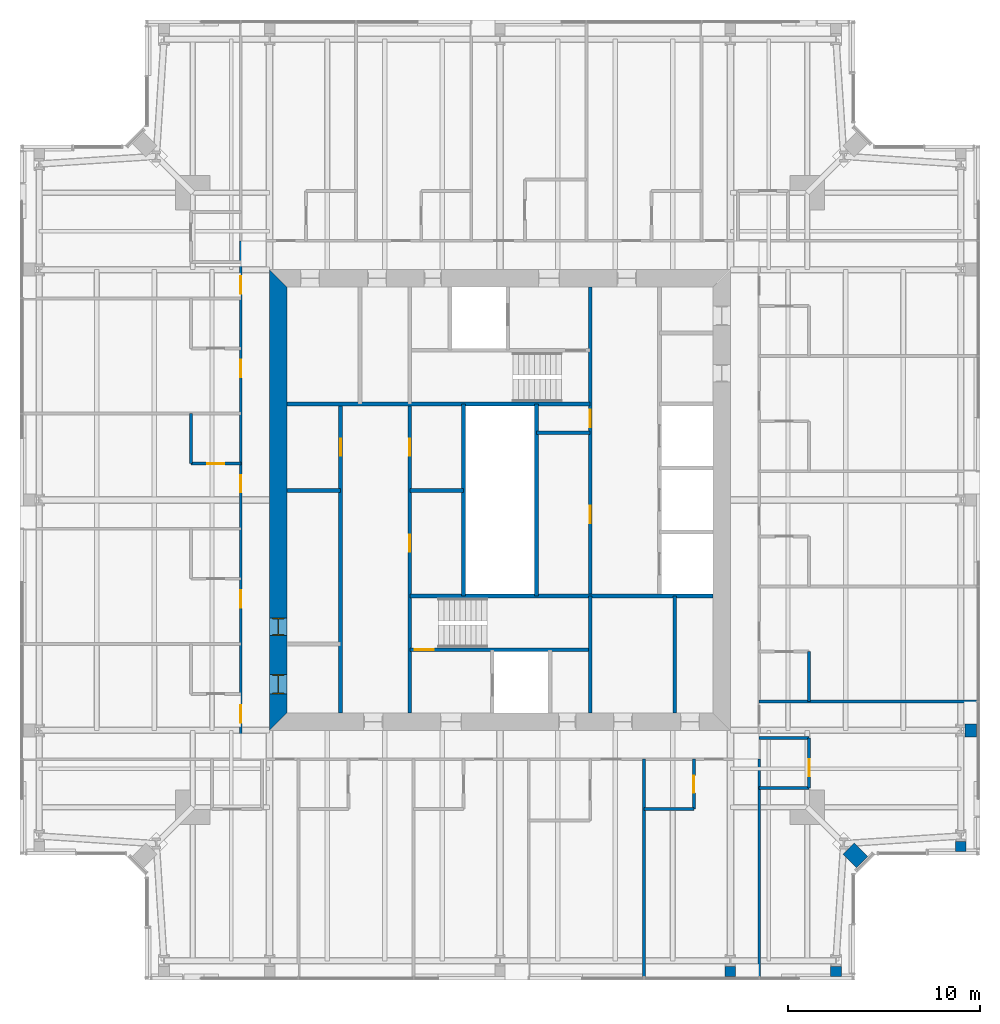
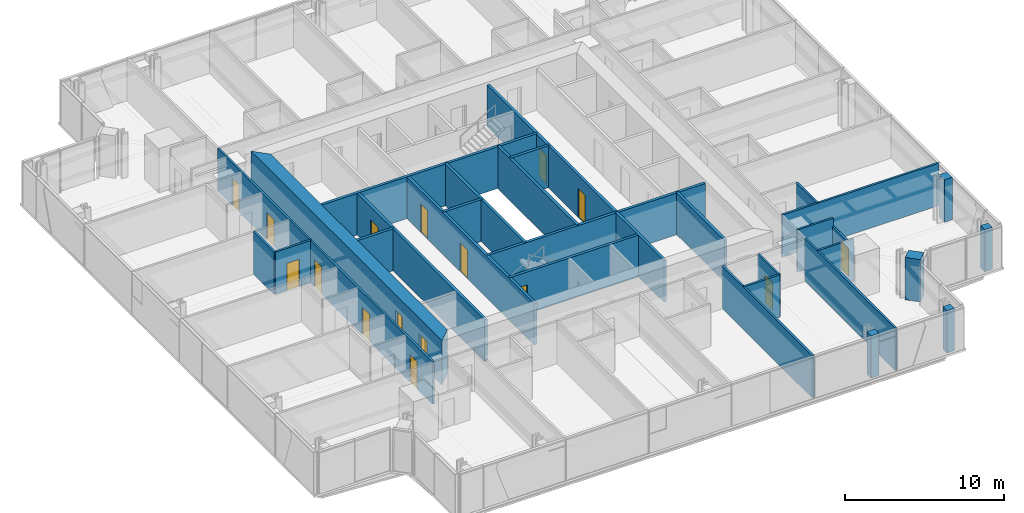
# One storey, part 12 of 20: 31 walls, 16 doors, 16 openings.
"""IFC4 building model written with IfcOpenShell, lengths in metres."""

from ifc_helpers import new_model, si_unit, direction, frame, frame_2d, origin, place, context, subcontext, project, spatial, polyline, rectangle, outline, extrude, material, layer, layer_set, type_object, element, fill, save


model = new_model("IFC4")

# Units and contexts
model_context = context("Model", 3, precision=1e-05, world=origin(), true_north=direction((0.0, 1.0)))
body_context = subcontext(model_context, "Body", "Model", "MODEL_VIEW")
ifc_project = project(units=[si_unit("LENGTHUNIT", "METRE"), si_unit("AREAUNIT", "SQUARE_METRE"), si_unit("VOLUMEUNIT", "CUBIC_METRE"), si_unit("PLANEANGLEUNIT", "RADIAN"), si_unit("MASSUNIT", "GRAM", prefix="KILO")], contexts=[model_context])

# Site, building, storey
site_placement = place(None, origin())
site = spatial("IfcSite", under=ifc_project, at=site_placement, CompositionType="ELEMENT")
building_placement = place(site_placement, origin())
building = spatial("IfcBuilding", under=site, at=building_placement, Name="Fenwick Lantern Interchange", CompositionType="ELEMENT")
storey_placement = place(building_placement, frame((0.0, 0.0, 252.60009765625)))
storey = spatial("IfcBuildingStorey", under=building, at=storey_placement, Name="L59", CompositionType="ELEMENT", Elevation=252.60009765625)

# Walls
ifc_material_1 = material(Name="Fire-rated gypsum board encasement on steel studs, 2 hour", Category="steel")
ifc_layer_1 = layer(ifc_material_1, 0.554931640625)
ifc_layer_set_1 = layer_set([ifc_layer_1], Name="COLUMN PIER 555")
wall_type_1 = type_object("IfcWallType", Name="COLUMN PIER 555", PredefinedType="PARTITIONING", material=ifc_layer_set_1)
for number, where, z_axis, x_axis, name in (
    (1, (37.0, 0.18994140625, 0.0), (0.0, 0.0, 1.0), (0.0, 1.0, 0.0), "L59/W/PIER/CS4"),
    (2, (42.5, 0.18994140625, 0.0), (0.0, 0.0, 1.0), (0.0, 1.0, 0.0), "L59/W/PIER/CS5"),
    (3, (49.0, 6.68994140625, 0.0), (0.0, 0.0, 1.0), (0.0, 1.0, 0.0), "L59/W/PIER/CE1"),
):
    element("IfcWall", number, at=place(storey_placement, frame(where, z_axis=z_axis, x_axis=x_axis)), inside=storey, type_object=wall_type_1, Name=name, PredefinedType="PARTITIONING", context=body_context, shape_type="SweptSolid", body=[
        extrude(rectangle(XDim=0.525634765625, YDim=0.554931640625, at=frame_2d((0.2626953125, 0.0))), origin(), (0.0, 0.0, 1.0), 3.25),
    ])
ifc_layer_2 = layer(ifc_material_1, 0.6689453125)
ifc_layer_set_2 = layer_set([ifc_layer_2], Name="COLUMN PIER 669")
wall_type_2 = type_object("IfcWallType", Name="COLUMN PIER 669", PredefinedType="PARTITIONING", material=ifc_layer_set_2)
wall_1_placement = place(storey_placement, frame((49.81005859375, 13.0, 0.0), z_axis=(0.0, 0.0, 1.0), x_axis=(-1.0, 0.0, 0.0)))
element("IfcWall", 4, at=wall_1_placement, inside=storey, type_object=wall_type_2, Name="L59/W/PIER/CE2", PredefinedType="PARTITIONING", context=body_context, shape_type="SweptSolid", body=[
    extrude(rectangle(XDim=0.582763671875, YDim=0.6689453125, at=frame_2d((0.29150390625, 0.0))), origin(), (0.0, 0.0, 1.0), 3.25),
])
ifc_layer_3 = layer(ifc_material_1, 0.823974609375)
ifc_layer_set_3 = layer_set([ifc_layer_3], Name="COLUMN PIER 824")
wall_type_3 = type_object("IfcWallType", Name="COLUMN PIER 824", PredefinedType="PARTITIONING", material=ifc_layer_set_3)
wall_2_placement = place(storey_placement, frame((43.86572265625, 6.13427734375, 0.0), z_axis=(0.0, 0.0, 1.0), x_axis=(-0.707106781187, 0.707106781187, 0.0)))
element("IfcWall", 5, at=wall_2_placement, inside=storey, type_object=wall_type_3, Name="L59/W/PIER/CSR", PredefinedType="PARTITIONING", context=body_context, shape_type="SweptSolid", body=[
    extrude(rectangle(XDim=1.003662109375, YDim=0.823974609375, at=frame_2d((0.501953125, 0.0))), origin(), (0.0, 0.0, 1.0), 3.25),
])

# Wall, opening, door
ifc_material_2 = material(Name="Concrete masonry ASTM C90 Grade N", Category="masonry")
ifc_layer_4 = layer(ifc_material_2, 0.199951171875)
ifc_layer_set_4 = layer_set([ifc_layer_4], Name="Concrete masonry ASTM C90 Grade N")
wall_type_4 = type_object("IfcWallType", Name="CORE PARTITION 200", PredefinedType="PARTITIONING", material=ifc_layer_set_4)
wall_3_placement = place(storey_placement, frame((16.699951171875, 13.89990234375, 0.0), z_axis=(0.0, 0.0, 1.0), x_axis=(0.0, 1.0, 0.0)))
wall_3 = element("IfcWall", 6, at=wall_3_placement, inside=storey, type_object=wall_type_4, Name="L59/W/CORES/a", PredefinedType="PARTITIONING", context=body_context, shape_type="SweptSolid", body=[
    extrude(rectangle(XDim=16.10009765625, YDim=0.199951171875, at=frame_2d((8.050048828125, 0.0))), origin(), (0.0, 0.0, 1.0), 3.199951171875),
])
opening_1_placement = place(wall_3_placement, frame((13.39990234375, 0.0, 0.0)))
opening_1 = element("IfcOpeningElement", 7, at=opening_1_placement, cuts=wall_3, Name="Opening L59-D009", PredefinedType="OPENING", context=body_context, shape_type="SweptSolid", body=[
    extrude(rectangle(XDim=0.89990234375, YDim=2.199951171875, at=frame_2d((0.449951171875, 1.10009765625))), frame((0.0, 0.10986328125, 0.0), z_axis=(0.0, -1.0, 0.0), x_axis=(1.0, 0.0, 0.0)), (0.0, 0.0, 1.0), 0.219970703125),
])
ifc_material_3 = material(Name="Steel door and frame", Category="steel")
door_type_1 = type_object("IfcDoorType", Name="SERVICE DOOR 900 X 2200", OperationType="SINGLE_SWING_LEFT", PredefinedType="DOOR", material=ifc_material_3)
door_1_placement = place(opening_1_placement, origin())
door_1 = element("IfcDoor", 8, at=door_1_placement, inside=storey, type_object=door_type_1, Name="Service door", OperationType="SINGLE_SWING_LEFT", OverallHeight=2.199951171875, OverallWidth=0.89990234375, PredefinedType="DOOR", context=body_context, shape_type="SweptSolid", body=[
    extrude(rectangle(XDim=0.89990234375, YDim=2.199951171875, at=frame_2d((0.449951171875, 1.10009765625))), frame((0.0, 0.02490234375, 0.0), z_axis=(0.0, -1.0, 0.0), x_axis=(1.0, 0.0, 0.0)), (0.0, 0.0, 1.0), 0.050048828125),
])
fill(opening_1, door_1)

# Walls
wall_4_placement = place(storey_placement, frame((23.10009765625, 20.0, 0.0), z_axis=(0.0, 0.0, 1.0), x_axis=(0.0, 1.0, 0.0)))
element("IfcWall", 9, at=wall_4_placement, inside=storey, type_object=wall_type_4, Name="L59/W/CORES/e3", PredefinedType="PARTITIONING", context=body_context, shape_type="SweptSolid", body=[
    extrude(rectangle(XDim=10.0, YDim=0.199951171875, at=frame_2d((5.0, 0.0))), origin(), (0.0, 0.0, 1.0), 3.199951171875),
])
wall_5_placement = place(storey_placement, frame((34.10009765625, 13.89990234375, 0.0), z_axis=(0.0, 0.0, 1.0), x_axis=(0.0, 1.0, 0.0)))
element("IfcWall", 10, at=wall_5_placement, inside=storey, type_object=wall_type_4, Name="L59/W/CORES/i2", PredefinedType="PARTITIONING", context=body_context, shape_type="SweptSolid", body=[
    extrude(rectangle(XDim=6.10009765625, YDim=0.199951171875, at=frame_2d((3.050048828125, 0.0))), origin(), (0.0, 0.0, 1.0), 3.199951171875),
])
for number, where, z_axis, x_axis, name in (
    (11, (13.89990234375, 25.5, 0.0), (0.0, 0.0, 1.0), (1.0, 0.0, 0.0), "L59/W/CORES/p2"),
    (12, (20.300048828125, 25.5, 0.0), (0.0, 0.0, 1.0), (1.0, 0.0, 0.0), "L59/W/CORES/q1"),
):
    element("IfcWall", number, at=place(storey_placement, frame(where, z_axis=z_axis, x_axis=x_axis)), inside=storey, type_object=wall_type_4, Name=name, PredefinedType="PARTITIONING", context=body_context, shape_type="SweptSolid", body=[
        extrude(rectangle(XDim=2.800048828125, YDim=0.199951171875, at=frame_2d((1.39990234375, 0.0))), origin(), (0.0, 0.0, 1.0), 3.199951171875),
    ])
wall_6_placement = place(storey_placement, frame((26.89990234375, 30.0, 0.0), z_axis=(0.0, 0.0, 1.0), x_axis=(0.0, -1.0, 0.0)))
element("IfcWall", 13, at=wall_6_placement, inside=storey, type_object=wall_type_4, Name="L59/W/COREN/e3", PredefinedType="PARTITIONING", context=body_context, shape_type="SweptSolid", body=[
    extrude(rectangle(XDim=10.0, YDim=0.199951171875, at=frame_2d((5.0, 0.0))), origin(), (0.0, 0.0, 1.0), 3.199951171875),
])
wall_7_placement = place(storey_placement, frame((29.699951171875, 28.5, 0.0), z_axis=(0.0, 0.0, 1.0), x_axis=(-1.0, 0.0, 0.0)))
element("IfcWall", 14, at=wall_7_placement, inside=storey, type_object=wall_type_4, Name="L59/W/COREN/q1", PredefinedType="PARTITIONING", context=body_context, shape_type="SweptSolid", body=[
    extrude(rectangle(XDim=2.800048828125, YDim=0.199951171875, at=frame_2d((1.39990234375, 0.0))), origin(), (0.0, 0.0, 1.0), 3.199951171875),
])

# Wall, openings, doors
ifc_material_4 = material(Name="Concrete f'c 70 MPa", Category="concrete")
ifc_layer_5 = layer(ifc_material_4, 0.89990234375)
ifc_layer_set_5 = layer_set([ifc_layer_5], Name="CORE WALL 900")
wall_type_5 = type_object("IfcWallType", Name="CORE WALL 900", PredefinedType="SHEAR", material=ifc_layer_set_5)
wall_8_placement = place(storey_placement, frame((13.449951171875, 36.10009765625, 0.0), z_axis=(0.0, 0.0, 1.0), x_axis=(0.0, -1.0, 0.0)))
wall_8 = element("IfcWall", 15, at=wall_8_placement, inside=storey, type_object=wall_type_5, Name="L59/CORE/W", PredefinedType="SHEAR", context=body_context, shape_type="SweptSolid", body=[
    extrude(outline(polyline([(-0.89990234375, -0.449951171875), (23.10009765625, -0.449951171875), (22.199951171875, 0.449951171875), (0.0, 0.449951171875), (-0.89990234375, -0.449951171875)])), origin(), (0.0, 0.0, 1.0), 3.39990234375),
])
opening_2_placement = place(wall_8_placement, frame((20.199951171875, 0.0, 0.0)))
opening_2 = element("IfcOpeningElement", 16, at=opening_2_placement, cuts=wall_8, Name="Opening L59-D007", PredefinedType="OPENING", context=body_context, shape_type="SweptSolid", body=[
    extrude(rectangle(XDim=1.0, YDim=2.199951171875, at=frame_2d((0.5, 1.10009765625))), frame((0.0, 0.4599609375, 0.0), z_axis=(0.0, -1.0, 0.0), x_axis=(1.0, 0.0, 0.0)), (0.0, 0.0, 1.0), 0.919921875),
])
opening_3_placement = place(wall_8_placement, frame((17.25, 0.0, 0.0)))
opening_3 = element("IfcOpeningElement", 17, at=opening_3_placement, cuts=wall_8, Name="Opening L59-D008", PredefinedType="OPENING", context=body_context, shape_type="SweptSolid", body=[
    extrude(rectangle(XDim=0.89990234375, YDim=2.199951171875, at=frame_2d((0.449951171875, 1.10009765625))), frame((0.0, 0.4599609375, 0.0), z_axis=(0.0, -1.0, 0.0), x_axis=(1.0, 0.0, 0.0)), (0.0, 0.0, 1.0), 0.919921875),
])
door_2_placement = place(opening_3_placement, origin())
door_2 = element("IfcDoor", 18, at=door_2_placement, inside=storey, type_object=door_type_1, Name="Service door", OperationType="SINGLE_SWING_RIGHT", OverallHeight=2.199951171875, OverallWidth=0.89990234375, PredefinedType="DOOR", context=body_context, shape_type="SweptSolid", body=[
    extrude(rectangle(XDim=0.89990234375, YDim=2.199951171875, at=frame_2d((0.449951171875, 1.10009765625))), frame((0.0, 0.02490234375, 0.0), z_axis=(0.0, -1.0, 0.0), x_axis=(1.0, 0.0, 0.0)), (0.0, 0.0, 1.0), 0.050048828125),
    extrude(outline(polyline([(0.0, 0.0), (0.0400390625, 0.0), (0.0400390625, 2.159912109375), (0.85986328125, 2.159912109375), (0.85986328125, 0.0), (0.89990234375, 0.0), (0.89990234375, 2.199951171875), (0.0, 2.199951171875), (0.0, 0.0)])), frame((0.0, 0.300048828125, 0.0), z_axis=(0.0, -1.0, 0.0), x_axis=(1.0, 0.0, 0.0)), (0.0, 0.0, 1.0), 0.60009765625),
])
fill(opening_3, door_2)
ifc_material_5 = material(Name="Hardwood door and steel frame", Category="steel")
door_type_2 = type_object("IfcDoorType", Name="WC DOOR 1000 X 2200", OperationType="SINGLE_SWING_LEFT", PredefinedType="DOOR", material=ifc_material_5)
door_3_placement = place(opening_2_placement, origin())
door_3 = element("IfcDoor", 19, at=door_3_placement, inside=storey, type_object=door_type_2, Name="Wc door", OperationType="SINGLE_SWING_RIGHT", OverallHeight=2.199951171875, OverallWidth=1.0, PredefinedType="DOOR", context=body_context, shape_type="SweptSolid", body=[
    extrude(rectangle(XDim=1.0, YDim=2.199951171875, at=frame_2d((0.5, 1.10009765625))), frame((0.0, 0.02490234375, 0.0), z_axis=(0.0, -1.0, 0.0), x_axis=(1.0, 0.0, 0.0)), (0.0, 0.0, 1.0), 0.050048828125),
    extrude(outline(polyline([(0.0, 0.0), (0.0400390625, 0.0), (0.0400390625, 2.159912109375), (0.9599609375, 2.159912109375), (0.9599609375, 0.0), (1.0, 0.0), (1.0, 2.199951171875), (0.0, 2.199951171875), (0.0, 0.0)])), frame((0.0, 0.300048828125, 0.0), z_axis=(0.0, -1.0, 0.0), x_axis=(1.0, 0.0, 0.0)), (0.0, 0.0, 1.0), 0.60009765625),
])
fill(opening_2, door_3)

ifc_material_6 = material(Name="Gypsum board on steel studs, 1 hour", Category="steel")
ifc_layer_6 = layer(ifc_material_6, 0.14990234375)
ifc_layer_set_6 = layer_set([ifc_layer_6], Name="CORRIDOR WALL 150")
wall_type_6 = type_object("IfcWallType", Name="CORRIDOR WALL 150", PredefinedType="PARTITIONING", material=ifc_layer_set_6)
wall_9_placement = place(storey_placement, frame((11.5, 38.5, 0.0), z_axis=(0.0, 0.0, 1.0), x_axis=(0.0, -1.0, 0.0)))
wall_9 = element("IfcWall", 20, at=wall_9_placement, inside=storey, type_object=wall_type_6, Name="L59/W/HOTEL/W/CW", PredefinedType="PARTITIONING", context=body_context, shape_type="SweptSolid", body=[
    extrude(rectangle(XDim=27.0, YDim=0.14990234375, at=frame_2d((13.5, 0.0))), origin(), (0.0, 0.0, 1.0), 3.25),
])
opening_4_placement = place(wall_9_placement, frame((1.85009765625, 0.0, 0.0)))
opening_4 = element("IfcOpeningElement", 21, at=opening_4_placement, cuts=wall_9, Name="Opening L59-D052", PredefinedType="OPENING", context=body_context, shape_type="SweptSolid", body=[
    extrude(rectangle(XDim=0.89990234375, YDim=2.10009765625, at=frame_2d((0.449951171875, 1.050048828125))), frame((0.0, 0.0849609375, 0.0), z_axis=(0.0, -1.0, 0.0), x_axis=(1.0, 0.0, 0.0)), (0.0, 0.0, 1.0), 0.169921875),
])
opening_5_placement = place(wall_9_placement, frame((6.199951171875, 0.0, 0.0)))
opening_5 = element("IfcOpeningElement", 22, at=opening_5_placement, cuts=wall_9, Name="Opening L59-D055", PredefinedType="OPENING", context=body_context, shape_type="SweptSolid", body=[
    extrude(rectangle(XDim=0.89990234375, YDim=2.10009765625, at=frame_2d((0.449951171875, 1.050048828125))), frame((0.0, 0.0849609375, 0.0), z_axis=(0.0, -1.0, 0.0), x_axis=(1.0, 0.0, 0.0)), (0.0, 0.0, 1.0), 0.169921875),
])
opening_6_placement = place(wall_9_placement, frame((12.199951171875, 0.0, 0.0)))
opening_6 = element("IfcOpeningElement", 23, at=opening_6_placement, cuts=wall_9, Name="Opening L59-D057", PredefinedType="OPENING", context=body_context, shape_type="SweptSolid", body=[
    extrude(rectangle(XDim=0.89990234375, YDim=2.10009765625, at=frame_2d((0.449951171875, 1.050048828125))), frame((0.0, 0.0849609375, 0.0), z_axis=(0.0, -1.0, 0.0), x_axis=(1.0, 0.0, 0.0)), (0.0, 0.0, 1.0), 0.169921875),
])
opening_7_placement = place(wall_9_placement, frame((18.199951171875, 0.0, 0.0)))
opening_7 = element("IfcOpeningElement", 24, at=opening_7_placement, cuts=wall_9, Name="Opening L59-D059", PredefinedType="OPENING", context=body_context, shape_type="SweptSolid", body=[
    extrude(rectangle(XDim=0.89990234375, YDim=2.10009765625, at=frame_2d((0.449951171875, 1.050048828125))), frame((0.0, 0.0849609375, 0.0), z_axis=(0.0, -1.0, 0.0), x_axis=(1.0, 0.0, 0.0)), (0.0, 0.0, 1.0), 0.169921875),
])
opening_8_placement = place(wall_9_placement, frame((24.199951171875, 0.0, 0.0)))
opening_8 = element("IfcOpeningElement", 25, at=opening_8_placement, cuts=wall_9, Name="Opening L59-D061", PredefinedType="OPENING", context=body_context, shape_type="SweptSolid", body=[
    extrude(rectangle(XDim=0.89990234375, YDim=2.10009765625, at=frame_2d((0.449951171875, 1.050048828125))), frame((0.0, 0.0849609375, 0.0), z_axis=(0.0, -1.0, 0.0), x_axis=(1.0, 0.0, 0.0)), (0.0, 0.0, 1.0), 0.169921875),
])
door_type_3 = type_object("IfcDoorType", Name="GUEST ROOM DOOR 900 X 2100", OperationType="SINGLE_SWING_LEFT", PredefinedType="DOOR", material=ifc_material_3)
door_4_placement = place(opening_4_placement, frame((0.89990234375, 0.0, 0.0), z_axis=(0.0, 0.0, 1.0), x_axis=(-1.0, 0.0, 0.0)))
door_4 = element("IfcDoor", 26, at=door_4_placement, inside=storey, type_object=door_type_3, Name="Guest room door", OperationType="SINGLE_SWING_LEFT", OverallHeight=2.10009765625, OverallWidth=0.89990234375, PredefinedType="DOOR", context=body_context, shape_type="SweptSolid", body=[
    extrude(rectangle(XDim=0.89990234375, YDim=2.10009765625, at=frame_2d((0.449951171875, 1.050048828125))), frame((0.0, 0.02490234375, 0.0), z_axis=(0.0, -1.0, 0.0), x_axis=(1.0, 0.0, 0.0)), (0.0, 0.0, 1.0), 0.050048828125),
])
fill(opening_4, door_4)
door_5_placement = place(opening_5_placement, frame((0.89990234375, 0.0, 0.0), z_axis=(0.0, 0.0, 1.0), x_axis=(-1.0, 0.0, 0.0)))
door_5 = element("IfcDoor", 27, at=door_5_placement, inside=storey, type_object=door_type_3, Name="Guest room door", OperationType="SINGLE_SWING_RIGHT", OverallHeight=2.10009765625, OverallWidth=0.89990234375, PredefinedType="DOOR", context=body_context, shape_type="SweptSolid", body=[
    extrude(rectangle(XDim=0.89990234375, YDim=2.10009765625, at=frame_2d((0.449951171875, 1.050048828125))), frame((0.0, 0.02490234375, 0.0), z_axis=(0.0, -1.0, 0.0), x_axis=(1.0, 0.0, 0.0)), (0.0, 0.0, 1.0), 0.050048828125),
])
fill(opening_5, door_5)
door_6_placement = place(opening_6_placement, frame((0.89990234375, 0.0, 0.0), z_axis=(0.0, 0.0, 1.0), x_axis=(-1.0, 0.0, 0.0)))
door_6 = element("IfcDoor", 28, at=door_6_placement, inside=storey, type_object=door_type_3, Name="Guest room door", OperationType="SINGLE_SWING_RIGHT", OverallHeight=2.10009765625, OverallWidth=0.89990234375, PredefinedType="DOOR", context=body_context, shape_type="SweptSolid", body=[
    extrude(rectangle(XDim=0.89990234375, YDim=2.10009765625, at=frame_2d((0.449951171875, 1.050048828125))), frame((0.0, 0.02490234375, 0.0), z_axis=(0.0, -1.0, 0.0), x_axis=(1.0, 0.0, 0.0)), (0.0, 0.0, 1.0), 0.050048828125),
])
fill(opening_6, door_6)
door_7_placement = place(opening_7_placement, frame((0.89990234375, 0.0, 0.0), z_axis=(0.0, 0.0, 1.0), x_axis=(-1.0, 0.0, 0.0)))
door_7 = element("IfcDoor", 29, at=door_7_placement, inside=storey, type_object=door_type_3, Name="Guest room door", OperationType="SINGLE_SWING_RIGHT", OverallHeight=2.10009765625, OverallWidth=0.89990234375, PredefinedType="DOOR", context=body_context, shape_type="SweptSolid", body=[
    extrude(rectangle(XDim=0.89990234375, YDim=2.10009765625, at=frame_2d((0.449951171875, 1.050048828125))), frame((0.0, 0.02490234375, 0.0), z_axis=(0.0, -1.0, 0.0), x_axis=(1.0, 0.0, 0.0)), (0.0, 0.0, 1.0), 0.050048828125),
])
fill(opening_7, door_7)
door_8_placement = place(opening_8_placement, frame((0.89990234375, 0.0, 0.0), z_axis=(0.0, 0.0, 1.0), x_axis=(-1.0, 0.0, 0.0)))
door_8 = element("IfcDoor", 30, at=door_8_placement, inside=storey, type_object=door_type_3, Name="Guest room door", OperationType="SINGLE_SWING_RIGHT", OverallHeight=2.10009765625, OverallWidth=0.89990234375, PredefinedType="DOOR", context=body_context, shape_type="SweptSolid", body=[
    extrude(rectangle(XDim=0.89990234375, YDim=2.10009765625, at=frame_2d((0.449951171875, 1.050048828125))), frame((0.0, 0.02490234375, 0.0), z_axis=(0.0, -1.0, 0.0), x_axis=(1.0, 0.0, 0.0)), (0.0, 0.0, 1.0), 0.050048828125),
])
fill(opening_8, door_8)

# Wall
ifc_material_7 = material(Name="Gypsum board on steel studs, moisture resistant", Category="steel")
ifc_layer_7 = layer(ifc_material_7, 0.14990234375)
ifc_layer_set_7 = layer_set([ifc_layer_7], Name="EN-SUITE WALL 150")
wall_type_7 = type_object("IfcWallType", Name="EN-SUITE WALL 150", PredefinedType="PARTITIONING", material=ifc_layer_set_7)
wall_10_placement = place(storey_placement, frame((32.5, 8.89990234375, 0.0), z_axis=(0.0, 0.0, 1.0), x_axis=(1.0, 0.0, 0.0)))
element("IfcWall", 31, at=wall_10_placement, inside=storey, type_object=wall_type_7, Name="L59/W/HOTEL/S/U5BW", PredefinedType="PARTITIONING", context=body_context, shape_type="SweptSolid", body=[
    extrude(rectangle(XDim=2.60009765625, YDim=0.14990234375, at=frame_2d((1.300048828125, 0.0))), origin(), (0.0, 0.0, 1.0), 3.25),
])

# Wall, opening, door
wall_11_placement = place(storey_placement, frame((35.10009765625, 8.89990234375, 0.0), z_axis=(0.0, 0.0, 1.0), x_axis=(0.0, 1.0, 0.0)))
wall_11 = element("IfcWall", 32, at=wall_11_placement, inside=storey, type_object=wall_type_7, Name="L59/W/HOTEL/S/U5BX", PredefinedType="PARTITIONING", context=body_context, shape_type="SweptSolid", body=[
    extrude(rectangle(XDim=2.60009765625, YDim=0.14990234375, at=frame_2d((1.300048828125, 0.0))), origin(), (0.0, 0.0, 1.0), 3.25),
])
opening_9_placement = place(wall_11_placement, frame((0.85009765625, 0.0, 0.0)))
opening_9 = element("IfcOpeningElement", 33, at=opening_9_placement, cuts=wall_11, Name="Opening L59-D030", PredefinedType="OPENING", context=body_context, shape_type="SweptSolid", body=[
    extrude(rectangle(XDim=0.89990234375, YDim=2.10009765625, at=frame_2d((0.449951171875, 1.050048828125))), frame((0.0, 0.0849609375, 0.0), z_axis=(0.0, -1.0, 0.0), x_axis=(1.0, 0.0, 0.0)), (0.0, 0.0, 1.0), 0.169921875),
])
door_type_4 = type_object("IfcDoorType", Name="EN-SUITE DOOR 900 X 2100", OperationType="SINGLE_SWING_LEFT", PredefinedType="DOOR", material=ifc_material_5)
door_9_placement = place(opening_9_placement, origin())
door_9 = element("IfcDoor", 34, at=door_9_placement, inside=storey, type_object=door_type_4, Name="En-suite door", OperationType="SINGLE_SWING_LEFT", OverallHeight=2.10009765625, OverallWidth=0.89990234375, PredefinedType="DOOR", context=body_context, shape_type="SweptSolid", body=[
    extrude(rectangle(XDim=0.89990234375, YDim=2.10009765625, at=frame_2d((0.449951171875, 1.050048828125))), frame((0.0, 0.02490234375, 0.0), z_axis=(0.0, -1.0, 0.0), x_axis=(1.0, 0.0, 0.0)), (0.0, 0.0, 1.0), 0.050048828125),
])
fill(opening_9, door_9)

wall_12_placement = place(storey_placement, frame((41.10009765625, 10.0, 0.0), z_axis=(0.0, 0.0, 1.0), x_axis=(0.0, 1.0, 0.0)))
wall_12 = element("IfcWall", 35, at=wall_12_placement, inside=storey, type_object=wall_type_7, Name="L59/W/HOTEL/E/U1BW", PredefinedType="PARTITIONING", context=body_context, shape_type="SweptSolid", body=[
    extrude(rectangle(XDim=2.60009765625, YDim=0.14990234375, at=frame_2d((1.300048828125, 0.0))), origin(), (0.0, 0.0, 1.0), 2.6376953125),
])
opening_10_placement = place(wall_12_placement, frame((0.60009765625, 0.0, 0.0)))
opening_10 = element("IfcOpeningElement", 36, at=opening_10_placement, cuts=wall_12, Name="Opening L59-D033", PredefinedType="OPENING", context=body_context, shape_type="SweptSolid", body=[
    extrude(rectangle(XDim=0.89990234375, YDim=2.10009765625, at=frame_2d((0.449951171875, 1.050048828125))), frame((0.0, 0.0849609375, 0.0), z_axis=(0.0, -1.0, 0.0), x_axis=(1.0, 0.0, 0.0)), (0.0, 0.0, 1.0), 0.169921875),
])
door_10_placement = place(opening_10_placement, origin())
door_10 = element("IfcDoor", 37, at=door_10_placement, inside=storey, type_object=door_type_4, Name="En-suite door", OperationType="SINGLE_SWING_LEFT", OverallHeight=2.10009765625, OverallWidth=0.89990234375, PredefinedType="DOOR", context=body_context, shape_type="SweptSolid", body=[
    extrude(rectangle(XDim=0.89990234375, YDim=2.10009765625, at=frame_2d((0.449951171875, 1.050048828125))), frame((0.0, 0.02490234375, 0.0), z_axis=(0.0, -1.0, 0.0), x_axis=(1.0, 0.0, 0.0)), (0.0, 0.0, 1.0), 0.050048828125),
])
fill(opening_10, door_10)

# Walls
for number, where, z_axis, x_axis, name in (
    (38, (41.10009765625, 10.0, 0.0), (0.0, 0.0, 1.0), (-1.0, 0.0, 0.0), "L59/W/HOTEL/E/U1BX"),
    (39, (41.10009765625, 12.60009765625, 0.0), (0.0, 0.0, 1.0), (-1.0, 0.0, 0.0), "L59/W/HOTEL/E/U1BE"),
    (40, (41.10009765625, 14.5, 0.0), (0.0, 0.0, 1.0), (0.0, 1.0, 0.0), "L59/W/HOTEL/E/U2BW"),
    (41, (8.89990234375, 29.5, 0.0), (0.0, 0.0, 1.0), (0.0, -1.0, 0.0), "L59/W/HOTEL/W/U3BW"),
):
    element("IfcWall", number, at=place(storey_placement, frame(where, z_axis=z_axis, x_axis=x_axis)), inside=storey, type_object=wall_type_7, Name=name, PredefinedType="PARTITIONING", context=body_context, shape_type="SweptSolid", body=[
        extrude(rectangle(XDim=2.60009765625, YDim=0.14990234375, at=frame_2d((1.300048828125, 0.0))), origin(), (0.0, 0.0, 1.0), 3.25),
    ])

# Wall, opening, door
wall_13_placement = place(storey_placement, frame((8.89990234375, 26.89990234375, 0.0), z_axis=(0.0, 0.0, 1.0), x_axis=(1.0, 0.0, 0.0)))
wall_13 = element("IfcWall", 42, at=wall_13_placement, inside=storey, type_object=wall_type_7, Name="L59/W/HOTEL/W/U3BX", PredefinedType="PARTITIONING", context=body_context, shape_type="SweptSolid", body=[
    extrude(rectangle(XDim=2.60009765625, YDim=0.14990234375, at=frame_2d((1.300048828125, 0.0))), origin(), (0.0, 0.0, 1.0), 3.25),
])
opening_11_placement = place(wall_13_placement, frame((0.85009765625, 0.0, 0.0)))
opening_11 = element("IfcOpeningElement", 43, at=opening_11_placement, cuts=wall_13, Name="Opening L59-D056", PredefinedType="OPENING", context=body_context, shape_type="SweptSolid", body=[
    extrude(rectangle(XDim=0.89990234375, YDim=2.10009765625, at=frame_2d((0.449951171875, 1.050048828125))), frame((0.0, 0.0849609375, 0.0), z_axis=(0.0, -1.0, 0.0), x_axis=(1.0, 0.0, 0.0)), (0.0, 0.0, 1.0), 0.169921875),
])
door_11_placement = place(opening_11_placement, origin())
door_11 = element("IfcDoor", 44, at=door_11_placement, inside=storey, type_object=door_type_4, Name="En-suite door", OperationType="SINGLE_SWING_LEFT", OverallHeight=2.10009765625, OverallWidth=0.89990234375, PredefinedType="DOOR", context=body_context, shape_type="SweptSolid", body=[
    extrude(rectangle(XDim=0.89990234375, YDim=2.10009765625, at=frame_2d((0.449951171875, 1.050048828125))), frame((0.0, 0.02490234375, 0.0), z_axis=(0.0, -1.0, 0.0), x_axis=(1.0, 0.0, 0.0)), (0.0, 0.0, 1.0), 0.050048828125),
])
fill(opening_11, door_11)

# Walls
ifc_material_8 = material(Name="Gypsum board on steel studs, 1 hour acoustic", Category="steel")
ifc_layer_8 = layer(ifc_material_8, 0.14990234375)
ifc_layer_set_8 = layer_set([ifc_layer_8], Name="PARTY WALL 150")
wall_type_8 = type_object("IfcWallType", Name="PARTY WALL 150", PredefinedType="PARTITIONING", material=ifc_layer_set_8)
for number, where, z_axis, x_axis, name in (
    (45, (32.5, 0.14990234375, 0.0), (0.0, 0.0, 1.0), (0.0, 1.0, 0.0), "L59/W/HOTEL/S/U5PW"),
    (46, (38.5, 0.14990234375, 0.0), (0.0, 0.0, 1.0), (0.0, 1.0, 0.0), "L59/W/HOTEL/E/SW3"),
    (47, (49.85009765625, 14.5, 0.0), (0.0, 0.0, 1.0), (-1.0, 0.0, 0.0), "L59/W/HOTEL/E/U2PW"),
):
    element("IfcWall", number, at=place(storey_placement, frame(where, z_axis=z_axis, x_axis=x_axis)), inside=storey, type_object=wall_type_8, Name=name, PredefinedType="PARTITIONING", context=body_context, shape_type="SweptSolid", body=[
        extrude(rectangle(XDim=11.35009765625, YDim=0.14990234375, at=frame_2d((5.675048828125, 0.0))), origin(), (0.0, 0.0, 1.0), 3.25),
    ])

# Wall, openings, doors
ifc_material_9 = material(Name="Concrete f'c 45 MPa", Category="concrete")
ifc_layer_9 = layer(ifc_material_9, 0.199951171875)
ifc_layer_set_9 = layer_set([ifc_layer_9], Name="STAIR CORE WALL 200")
wall_type_9 = type_object("IfcWallType", Name="STAIR CORE WALL 200", PredefinedType="SOLIDWALL", material=ifc_layer_set_9)
wall_14_placement = place(storey_placement, frame((20.300048828125, 13.89990234375, 0.0), z_axis=(0.0, 0.0, 1.0), x_axis=(0.0, 1.0, 0.0)))
wall_14 = element("IfcWall", 48, at=wall_14_placement, inside=storey, type_object=wall_type_9, Name="L59/W/CORES/b", PredefinedType="SOLIDWALL", context=body_context, shape_type="SweptSolid", body=[
    extrude(rectangle(XDim=16.10009765625, YDim=0.199951171875, at=frame_2d((8.050048828125, 0.0))), origin(), (0.0, 0.0, 1.0), 3.199951171875),
])
opening_12_placement = place(wall_14_placement, frame((8.39990234375, 0.0, 0.0)))
opening_12 = element("IfcOpeningElement", 49, at=opening_12_placement, cuts=wall_14, Name="Opening L59-D010", PredefinedType="OPENING", context=body_context, shape_type="SweptSolid", body=[
    extrude(rectangle(XDim=0.89990234375, YDim=2.199951171875, at=frame_2d((0.449951171875, 1.10009765625))), frame((0.0, 0.10986328125, 0.0), z_axis=(0.0, -1.0, 0.0), x_axis=(1.0, 0.0, 0.0)), (0.0, 0.0, 1.0), 0.219970703125),
])
opening_13_placement = place(wall_14_placement, frame((13.39990234375, 0.0, 0.0)))
opening_13 = element("IfcOpeningElement", 50, at=opening_13_placement, cuts=wall_14, Name="Opening L59-D011", PredefinedType="OPENING", context=body_context, shape_type="SweptSolid", body=[
    extrude(rectangle(XDim=0.89990234375, YDim=2.199951171875, at=frame_2d((0.449951171875, 1.10009765625))), frame((0.0, 0.10986328125, 0.0), z_axis=(0.0, -1.0, 0.0), x_axis=(1.0, 0.0, 0.0)), (0.0, 0.0, 1.0), 0.219970703125),
])
door_12_placement = place(opening_12_placement, frame((0.89990234375, 0.0, 0.0), z_axis=(0.0, 0.0, 1.0), x_axis=(-1.0, 0.0, 0.0)))
door_12 = element("IfcDoor", 51, at=door_12_placement, inside=storey, type_object=door_type_1, Name="Service door", OperationType="SINGLE_SWING_RIGHT", OverallHeight=2.199951171875, OverallWidth=0.89990234375, PredefinedType="DOOR", context=body_context, shape_type="SweptSolid", body=[
    extrude(rectangle(XDim=0.89990234375, YDim=2.199951171875, at=frame_2d((0.449951171875, 1.10009765625))), frame((0.0, 0.02490234375, 0.0), z_axis=(0.0, -1.0, 0.0), x_axis=(1.0, 0.0, 0.0)), (0.0, 0.0, 1.0), 0.050048828125),
])
fill(opening_12, door_12)
door_13_placement = place(opening_13_placement, frame((0.89990234375, 0.0, 0.0), z_axis=(0.0, 0.0, 1.0), x_axis=(-1.0, 0.0, 0.0)))
door_13 = element("IfcDoor", 52, at=door_13_placement, inside=storey, type_object=door_type_1, Name="Service door", OperationType="SINGLE_SWING_RIGHT", OverallHeight=2.199951171875, OverallWidth=0.89990234375, PredefinedType="DOOR", context=body_context, shape_type="SweptSolid", body=[
    extrude(rectangle(XDim=0.89990234375, YDim=2.199951171875, at=frame_2d((0.449951171875, 1.10009765625))), frame((0.0, 0.02490234375, 0.0), z_axis=(0.0, -1.0, 0.0), x_axis=(1.0, 0.0, 0.0)), (0.0, 0.0, 1.0), 0.050048828125),
])
fill(opening_13, door_13)

# Wall, opening, door
wall_15_placement = place(storey_placement, frame((20.300048828125, 17.199951171875, 0.0), z_axis=(0.0, 0.0, 1.0), x_axis=(1.0, 0.0, 0.0)))
wall_15 = element("IfcWall", 53, at=wall_15_placement, inside=storey, type_object=wall_type_9, Name="L59/W/CORES/g1", PredefinedType="SOLIDWALL", context=body_context, shape_type="SweptSolid", body=[
    extrude(rectangle(XDim=9.39990234375, YDim=0.199951171875, at=frame_2d((4.699951171875, 0.0))), origin(), (0.0, 0.0, 1.0), 3.199951171875),
])
opening_14_placement = place(wall_15_placement, frame((0.25, 0.0, 0.0)))
opening_14 = element("IfcOpeningElement", 54, at=opening_14_placement, cuts=wall_15, Name="Opening L59-D003", PredefinedType="OPENING", context=body_context, shape_type="SweptSolid", body=[
    extrude(rectangle(XDim=1.0, YDim=2.199951171875, at=frame_2d((0.5, 1.10009765625))), frame((0.0, 0.10986328125, 0.0), z_axis=(0.0, -1.0, 0.0), x_axis=(1.0, 0.0, 0.0)), (0.0, 0.0, 1.0), 0.219970703125),
])
door_type_5 = type_object("IfcDoorType", Name="STAIR DOOR 1000 X 2200", OperationType="SINGLE_SWING_LEFT", PredefinedType="DOOR", material=ifc_material_3)
door_14_placement = place(opening_14_placement, origin())
door_14 = element("IfcDoor", 55, at=door_14_placement, inside=storey, type_object=door_type_5, Name="Stair door", OperationType="SINGLE_SWING_LEFT", OverallHeight=2.199951171875, OverallWidth=1.0, PredefinedType="DOOR", context=body_context, shape_type="SweptSolid", body=[
    extrude(rectangle(XDim=1.0, YDim=2.199951171875, at=frame_2d((0.5, 1.10009765625))), frame((0.0, 0.02490234375, 0.0), z_axis=(0.0, -1.0, 0.0), x_axis=(1.0, 0.0, 0.0)), (0.0, 0.0, 1.0), 0.050048828125),
])
fill(opening_14, door_14)

# Walls
wall_16_placement = place(storey_placement, frame((20.300048828125, 20.0, 0.0), z_axis=(0.0, 0.0, 1.0), x_axis=(1.0, 0.0, 0.0)))
element("IfcWall", 56, at=wall_16_placement, inside=storey, type_object=wall_type_9, Name="L59/W/CORES/g2", PredefinedType="SOLIDWALL", context=body_context, shape_type="SweptSolid", body=[
    extrude(rectangle(XDim=15.800048828125, YDim=0.199951171875, at=frame_2d((7.89990234375, 0.0))), origin(), (0.0, 0.0, 1.0), 3.199951171875),
])
wall_17_placement = place(storey_placement, frame((29.699951171875, 13.89990234375, 0.0), z_axis=(0.0, 0.0, 1.0), x_axis=(0.0, 1.0, 0.0)))
element("IfcWall", 57, at=wall_17_placement, inside=storey, type_object=wall_type_9, Name="L59/W/CORES/i1", PredefinedType="SOLIDWALL", context=body_context, shape_type="SweptSolid", body=[
    extrude(rectangle(XDim=6.10009765625, YDim=0.199951171875, at=frame_2d((3.050048828125, 0.0))), origin(), (0.0, 0.0, 1.0), 3.199951171875),
])

# Wall, openings, doors
wall_18_placement = place(storey_placement, frame((29.699951171875, 36.10009765625, 0.0), z_axis=(0.0, 0.0, 1.0), x_axis=(0.0, -1.0, 0.0)))
wall_18 = element("IfcWall", 58, at=wall_18_placement, inside=storey, type_object=wall_type_9, Name="L59/W/COREN/b", PredefinedType="SOLIDWALL", context=body_context, shape_type="SweptSolid", body=[
    extrude(rectangle(XDim=16.10009765625, YDim=0.199951171875, at=frame_2d((8.050048828125, 0.0))), origin(), (0.0, 0.0, 1.0), 3.199951171875),
])
opening_15_placement = place(wall_18_placement, frame((6.39990234375, 0.0, 0.0)))
opening_15 = element("IfcOpeningElement", 59, at=opening_15_placement, cuts=wall_18, Name="Opening L59-D020", PredefinedType="OPENING", context=body_context, shape_type="SweptSolid", body=[
    extrude(rectangle(XDim=0.89990234375, YDim=2.199951171875, at=frame_2d((0.449951171875, 1.10009765625))), frame((0.0, 0.10986328125, 0.0), z_axis=(0.0, -1.0, 0.0), x_axis=(1.0, 0.0, 0.0)), (0.0, 0.0, 1.0), 0.219970703125),
])
opening_16_placement = place(wall_18_placement, frame((11.39990234375, 0.0, 0.0)))
opening_16 = element("IfcOpeningElement", 60, at=opening_16_placement, cuts=wall_18, Name="Opening L59-D021", PredefinedType="OPENING", context=body_context, shape_type="SweptSolid", body=[
    extrude(rectangle(XDim=0.89990234375, YDim=2.199951171875, at=frame_2d((0.449951171875, 1.10009765625))), frame((0.0, 0.10986328125, 0.0), z_axis=(0.0, -1.0, 0.0), x_axis=(1.0, 0.0, 0.0)), (0.0, 0.0, 1.0), 0.219970703125),
])
door_15_placement = place(opening_15_placement, frame((0.89990234375, 0.0, 0.0), z_axis=(0.0, 0.0, 1.0), x_axis=(-1.0, 0.0, 0.0)))
door_15 = element("IfcDoor", 61, at=door_15_placement, inside=storey, type_object=door_type_1, Name="Service door", OperationType="SINGLE_SWING_RIGHT", OverallHeight=2.199951171875, OverallWidth=0.89990234375, PredefinedType="DOOR", context=body_context, shape_type="SweptSolid", body=[
    extrude(rectangle(XDim=0.89990234375, YDim=2.199951171875, at=frame_2d((0.449951171875, 1.10009765625))), frame((0.0, 0.02490234375, 0.0), z_axis=(0.0, -1.0, 0.0), x_axis=(1.0, 0.0, 0.0)), (0.0, 0.0, 1.0), 0.050048828125),
])
fill(opening_15, door_15)
door_16_placement = place(opening_16_placement, frame((0.89990234375, 0.0, 0.0), z_axis=(0.0, 0.0, 1.0), x_axis=(-1.0, 0.0, 0.0)))
door_16 = element("IfcDoor", 62, at=door_16_placement, inside=storey, type_object=door_type_1, Name="Service door", OperationType="SINGLE_SWING_RIGHT", OverallHeight=2.199951171875, OverallWidth=0.89990234375, PredefinedType="DOOR", context=body_context, shape_type="SweptSolid", body=[
    extrude(rectangle(XDim=0.89990234375, YDim=2.199951171875, at=frame_2d((0.449951171875, 1.10009765625))), frame((0.0, 0.02490234375, 0.0), z_axis=(0.0, -1.0, 0.0), x_axis=(1.0, 0.0, 0.0)), (0.0, 0.0, 1.0), 0.050048828125),
])
fill(opening_16, door_16)

# Wall
wall_19_placement = place(storey_placement, frame((29.699951171875, 30.0, 0.0), z_axis=(0.0, 0.0, 1.0), x_axis=(-1.0, 0.0, 0.0)))
element("IfcWall", 63, at=wall_19_placement, inside=storey, type_object=wall_type_9, Name="L59/W/COREN/g2", PredefinedType="SOLIDWALL", context=body_context, shape_type="SweptSolid", body=[
    extrude(rectangle(XDim=15.800048828125, YDim=0.199951171875, at=frame_2d((7.89990234375, 0.0))), origin(), (0.0, 0.0, 1.0), 3.199951171875),
])

save(model, "model.ifc")
